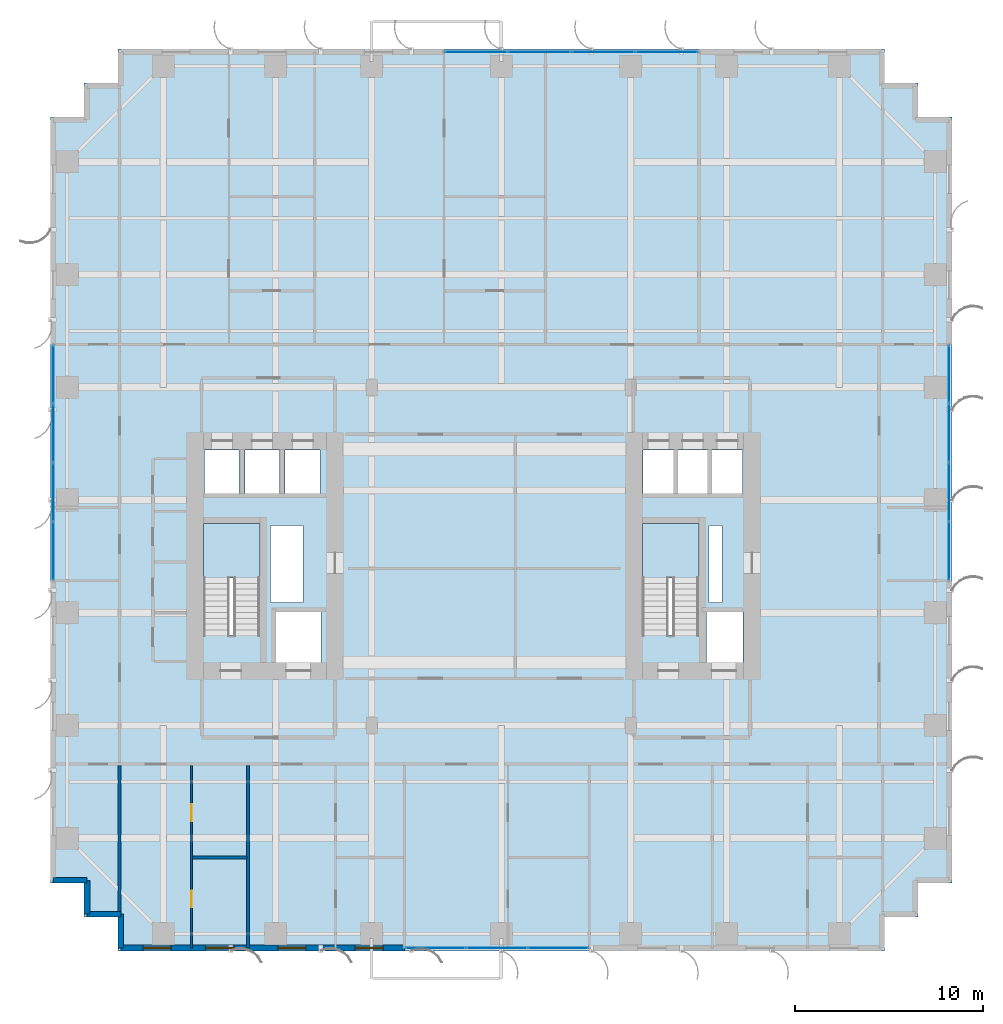
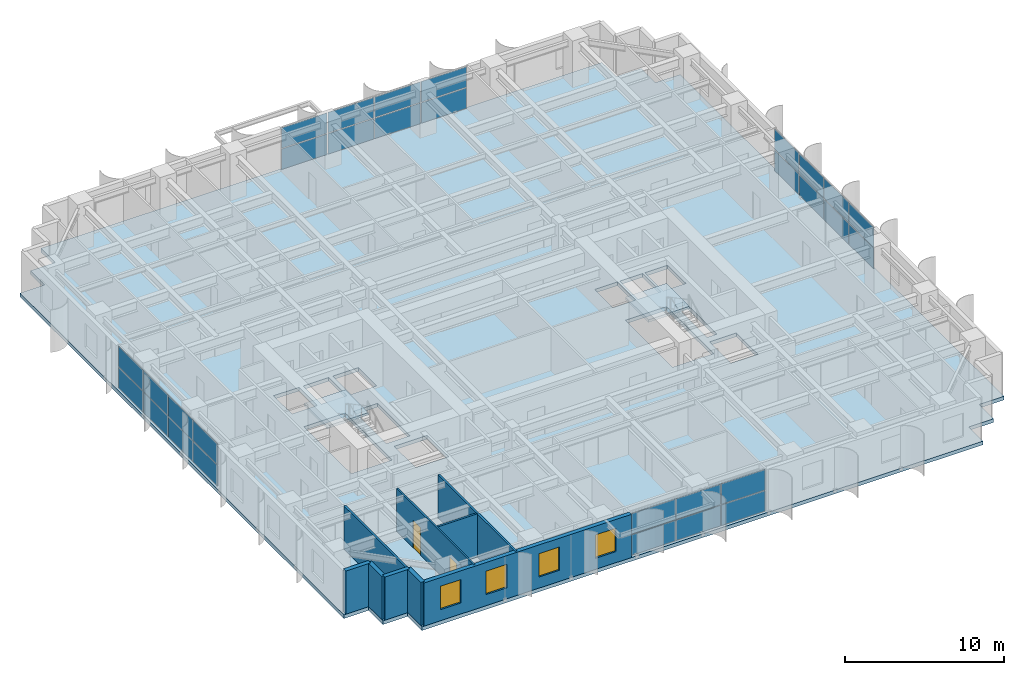
# One storey, part 14 of 22: 30 plates, 9 walls, 4 windows, 3 slabs, 2 doors, 6 openings, 6 elements without a shape of their own.
"""IFC4 building model written with IfcOpenShell, lengths in metres."""

import ifcopenshell
import ifcopenshell.guid

model = None  # the IFC model being written
_history = None  # IfcOwnerHistory: only IFC2X3 demands one
_inside = {}  # id of a spatial element -> (the spatial element, [elements in it])
_under = {}  # id of a project, library or spatial element -> (it, [spatial elements below it])
_declared = {}  # id of a project -> (the project, [libraries it declares])
_typed = {}  # id of a type object -> (the type object, [elements of that type])
_made_of = {}  # id of a material, layer set ... -> (it, [elements and type objects made of it])


def new_model(schema):
    """Start an empty IFC model of exactly this schema.

    Asked for "IFC4X3", IfcOpenShell would pick the latest addendum, in which some entities
    have other attributes; the version numbers below select the first issue.
    IFC2X3 requires an IfcOwnerHistory on every rooted entity: one is made here for all.
    """
    global model, _history
    if schema == "IFC4X3":
        model = ifcopenshell.file(schema_version=(4, 3, 0, 0))
    else:
        model = ifcopenshell.file(schema=schema)
    _inside.clear()
    _under.clear()
    _declared.clear()
    _typed.clear()
    _made_of.clear()
    _history = None
    if model.schema == "IFC2X3":
        org = make("IfcOrganization", Name="unknown")
        user = make(
            "IfcPersonAndOrganization",
            ThePerson=make("IfcPerson", FamilyName="unknown"),
            TheOrganization=org,
        )
        app = make(
            "IfcApplication",
            ApplicationDeveloper=org,
            Version="unknown",
            ApplicationFullName="unknown",
            ApplicationIdentifier="unknown",
        )
        _history = make(
            "IfcOwnerHistory",
            OwningUser=user,
            OwningApplication=app,
            ChangeAction="ADDED",
            CreationDate=0,
        )
    return model


def make(cls, **values):
    """One entity of the class cls with the attributes given. An attribute that is None is left unset."""
    return model.create_entity(
        cls, **{name: value for name, value in values.items() if value is not None}
    )


def rooted(cls, **values):
    """An entity with a GlobalId (a new one), such as an element, a storey or a relation."""
    return make(cls, GlobalId=ifcopenshell.guid.new(), OwnerHistory=_history, **values)


def si_unit(unit_type, name, prefix=None):
    """IfcSIUnit, for example si_unit("LENGTHUNIT", "METRE", prefix="MILLI")."""
    return make("IfcSIUnit", UnitType=unit_type, Prefix=prefix, Name=name)


def assignment(units):
    """IfcUnitAssignment: the units of a project."""
    return None if units is None else make("IfcUnitAssignment", Units=units)


def point(xyz):
    """IfcCartesianPoint."""
    return None if xyz is None else make("IfcCartesianPoint", Coordinates=xyz)


def direction(xyz):
    """IfcDirection."""
    return None if xyz is None else make("IfcDirection", DirectionRatios=xyz)


def frame(location, z_axis=None, x_axis=None):
    """IfcAxis2Placement3D, a coordinate frame: its origin and axes. An axis left out is left unset."""
    return make(
        "IfcAxis2Placement3D",
        Location=point(location),
        Axis=direction(z_axis),
        RefDirection=direction(x_axis),
    )


def frame_2d(location, x_axis=None):
    """IfcAxis2Placement2D, a coordinate frame in the plane: its origin and x axis."""
    return make(
        "IfcAxis2Placement2D", Location=point(location), RefDirection=direction(x_axis)
    )


def origin():
    """The frame at (0, 0, 0) with its axes left unset."""
    return frame((0.0, 0.0, 0.0))


def origin_2d():
    """The frame at (0, 0) in the plane with its x axis left unset."""
    return frame_2d((0.0, 0.0))


def place(relative_to, where):
    """IfcLocalPlacement: puts the frame where relative to a parent placement (None: the world)."""
    return make(
        "IfcLocalPlacement", PlacementRelTo=relative_to, RelativePlacement=where
    )


def context(
    kind, dimensions, precision=None, world=None, true_north=None, identifier=None
):
    """IfcGeometricRepresentationContext, for example the 3D "Model" context."""
    return make(
        "IfcGeometricRepresentationContext",
        ContextIdentifier=identifier,
        ContextType=kind,
        CoordinateSpaceDimension=dimensions,
        Precision=precision,
        WorldCoordinateSystem=world,
        TrueNorth=true_north,
    )


def subcontext(parent, identifier, kind, view, scale=None):
    """IfcGeometricRepresentationSubContext, for example "Body" below "Model"."""
    return make(
        "IfcGeometricRepresentationSubContext",
        ContextIdentifier=identifier,
        ContextType=kind,
        ParentContext=parent,
        TargetScale=scale,
        TargetView=view,
    )


def project(units=None, contexts=None):
    """IfcProject with its units and contexts."""
    return rooted(
        "IfcProject",
        Name="project",
        RepresentationContexts=contexts,
        UnitsInContext=assignment(units),
    )


def spatial(cls, under=None, at=None, **own):
    """A site, building, storey or space (cls), placed at a placement, below another one or the project."""
    s = rooted(cls, ObjectPlacement=at, **own)
    if under is not None:
        _under.setdefault(under.id(), (under, []))[1].append(s)
    return s


def polyline(points):
    """IfcPolyline through the points."""
    return make("IfcPolyline", Points=[point(p) for p in points])


def profile(cls, at=None, kind="AREA", **sizes):
    """A parametric profile (cls). Its sizes go by their IFC names, for example OverallWidth=200.0."""
    return make(cls, ProfileType=kind, Position=at, **sizes)


def rectangle(**sizes):
    """IfcRectangleProfileDef."""
    return profile("IfcRectangleProfileDef", **sizes)


def outline(outer, holes=None, kind="AREA"):
    """IfcArbitraryClosedProfileDef: a profile drawn as a closed curve; with holes, ...WithVoids."""
    if holes is None:
        return make("IfcArbitraryClosedProfileDef", ProfileType=kind, OuterCurve=outer)
    return make(
        "IfcArbitraryProfileDefWithVoids",
        ProfileType=kind,
        OuterCurve=outer,
        InnerCurves=holes,
    )


def extrude(swept, where, along, depth):
    """IfcExtrudedAreaSolid: the profile swept, set in the frame where, extruded along a direction by depth."""
    return make(
        "IfcExtrudedAreaSolid",
        SweptArea=swept,
        Position=where,
        ExtrudedDirection=direction(along),
        Depth=depth,
    )


def shape(context_of_items, identifier, shape_type, items):
    """IfcShapeRepresentation: the items that make up one representation, for example the "Body"."""
    return make(
        "IfcShapeRepresentation",
        ContextOfItems=context_of_items,
        RepresentationIdentifier=identifier,
        RepresentationType=shape_type,
        Items=items,
    )


def source(mapping_origin, context_of_items, identifier, shape_type, items):
    """IfcRepresentationMap: a shape defined once, which mapped items show again and again."""
    return make(
        "IfcRepresentationMap",
        MappingOrigin=mapping_origin,
        MappedRepresentation=shape(context_of_items, identifier, shape_type, items),
    )


def transform(
    local_origin,
    x_axis=None,
    y_axis=None,
    z_axis=None,
    scale=None,
    scale2=None,
    scale3=None,
    uniform=True,
):
    """IfcCartesianTransformationOperator3D, or its non-uniform kind. x_axis, y_axis, z_axis: its Axis1, 2, 3."""
    if uniform:
        return make(
            "IfcCartesianTransformationOperator3D",
            Axis1=direction(x_axis),
            Axis2=direction(y_axis),
            LocalOrigin=point(local_origin),
            Scale=scale,
            Axis3=direction(z_axis),
        )
    return make(
        "IfcCartesianTransformationOperator3DnonUniform",
        Axis1=direction(x_axis),
        Axis2=direction(y_axis),
        LocalOrigin=point(local_origin),
        Scale=scale,
        Axis3=direction(z_axis),
        Scale2=scale2,
        Scale3=scale3,
    )


def mapped(mapping_source, mapping_target):
    """IfcMappedItem: shows the shape of a source again, moved by a transform."""
    return make(
        "IfcMappedItem", MappingSource=mapping_source, MappingTarget=mapping_target
    )


def material(Name=None, Category=None):
    """IfcMaterial."""
    return make("IfcMaterial", Name=Name, Category=Category)


def layer(
    of_material, thickness, ventilated=None, Name=None, Category=None, Priority=None
):
    """IfcMaterialLayer: one layer of a wall or slab, of a material (None: an air gap)."""
    return make(
        "IfcMaterialLayer",
        Material=of_material,
        LayerThickness=thickness,
        IsVentilated=ventilated,
        Name=Name,
        Category=Category,
        Priority=Priority,
    )


def layer_set(layers, Name=None):
    """IfcMaterialLayerSet."""
    return make("IfcMaterialLayerSet", MaterialLayers=layers, LayerSetName=Name)


def made_of(thing, what):
    """Note that an element or type object is made of a material, layer set ...; save() writes the relation."""
    if what is not None:
        _made_of.setdefault(what.id(), (what, []))[1].append(thing)
    return thing


def type_object(cls, material=None, **own):
    """A type object (cls), such as IfcWallType, which elements share."""
    return made_of(rooted(cls, **own), material)


def element(
    cls,
    number,
    at=None,
    inside=None,
    cuts=None,
    type_object=None,
    material=None,
    context=None,
    identifier="Body",
    shape_type=None,
    held_by="IfcProductDefinitionShape",
    body=None,
    shapes=None,
    **own,
):
    """One element of the class cls, such as IfcWall. Its Tag is "e" and its number.

    at: its placement. inside: the storey or other place that contains it. cuts: it is an
    opening in that element (IfcRelVoidsElement). A single representation is given by context,
    identifier, shape_type and body (its items); several are given by shapes. held_by: the class
    of the entity that holds the representations. save() writes the other relations.
    """
    e = rooted(cls, Tag="e%d" % number, ObjectPlacement=at, **own)
    if body is not None:
        shapes = [shape(context, identifier, shape_type, body)]
    if shapes is not None:
        e.Representation = make(held_by, Representations=shapes)
    if inside is not None:
        _inside.setdefault(inside.id(), (inside, []))[1].append(e)
    if cuts is not None:
        rooted(
            "IfcRelVoidsElement", RelatingBuildingElement=cuts, RelatedOpeningElement=e
        )
    if type_object is not None:
        _typed.setdefault(type_object.id(), (type_object, []))[1].append(e)
    return made_of(e, material)


def fill(opening, filler):
    """IfcRelFillsElement: the door or window that sits in an opening."""
    return rooted(
        "IfcRelFillsElement",
        RelatingOpeningElement=opening,
        RelatedBuildingElement=filler,
    )


def aggregate(whole, parts):
    """IfcRelAggregates: a whole, such as a stair, and the parts it consists of."""
    return rooted("IfcRelAggregates", RelatingObject=whole, RelatedObjects=parts)


def save(model, path):
    """Write the relations noted so far, then the file.

    IfcRelAggregates (storeys below a building ...), IfcRelContainedInSpatialStructure (elements
    in a storey), IfcRelDefinesByType, IfcRelAssociatesMaterial and IfcRelDeclares: one each for
    every whole, place, type object, material and project.
    """
    for whole, parts in _under.values():
        aggregate(whole, parts)
    for where, things in _inside.values():
        rooted(
            "IfcRelContainedInSpatialStructure",
            RelatedElements=things,
            RelatingStructure=where,
        )
    for kind, things in _typed.values():
        rooted("IfcRelDefinesByType", RelatedObjects=things, RelatingType=kind)
    for what, things in _made_of.values():
        rooted("IfcRelAssociatesMaterial", RelatedObjects=things, RelatingMaterial=what)
    for by, libraries in _declared.values():
        rooted("IfcRelDeclares", RelatingContext=by, RelatedDefinitions=libraries)
    model.write(path)


model = new_model("IFC4")

# Units and contexts
model_context = context("Model", 3, precision=1e-05, world=origin(), true_north=direction((0.0, 1.0)))
body_context = subcontext(model_context, "Body", "Model", "MODEL_VIEW")
ifc_project = project(units=[si_unit("LENGTHUNIT", "METRE"), si_unit("AREAUNIT", "SQUARE_METRE"), si_unit("VOLUMEUNIT", "CUBIC_METRE"), si_unit("PLANEANGLEUNIT", "RADIAN"), si_unit("MASSUNIT", "GRAM", prefix="KILO")], contexts=[model_context])

# Site, building, storey
site_placement = place(None, origin())
site = spatial("IfcSite", under=ifc_project, at=site_placement, CompositionType="ELEMENT")
building_placement = place(site_placement, origin())
building = spatial("IfcBuilding", under=site, at=building_placement, Name="Khoralis Quay Care Tower", CompositionType="ELEMENT")
storey_placement = place(building_placement, frame((0.0, 0.0, 44.10009765625)))
storey = spatial("IfcBuildingStorey", under=building, at=storey_placement, Name="L11", CompositionType="ELEMENT", Elevation=44.10009765625)

# Stair, slab
ifc_material_1 = material(Name="Precast concrete C45/55", Category="concrete")
stair_type = type_object("IfcStairType", Name="ST-TWR-DOGLEG-1400", PredefinedType="HALF_TURN_STAIR", material=ifc_material_1)
stair_1_placement = place(storey_placement, origin())
stair_1 = element("IfcStair", 1, at=stair_1_placement, inside=storey, type_object=stair_type, Name="L11 West Core Exit Stair ST-T1", PredefinedType="HALF_TURN_STAIR")
ifc_layer_1 = layer(ifc_material_1, 0.199951171875)
ifc_layer_set_1 = layer_set([ifc_layer_1], Name="Precast concrete C45/55")
slab_type_1 = type_object("IfcSlabType", Name="SLB-LANDING-200", PredefinedType="LANDING", material=ifc_layer_set_1)
slab_1_placement = place(storey_placement, frame((0.0, 0.0, 1.599853515625)))
slab_1 = element("IfcSlab", 2, at=slab_1_placement, type_object=slab_type_1, Name="ST-T1 landing 1", PredefinedType="LANDING", context=body_context, shape_type="SweptSolid", body=[
    extrude(outline(polyline([(11.14990234375, 19.840087890625), (11.14990234375, 22.75), (8.14990234375, 22.75), (8.14990234375, 19.840087890625), (11.14990234375, 19.840087890625)])), origin(), (0.0, 0.0, 1.0), 0.199951171875),
])
aggregate(stair_1, [slab_1])

stair_2_placement = place(storey_placement, origin())
stair_2 = element("IfcStair", 3, at=stair_2_placement, inside=storey, type_object=stair_type, Name="L11 East Core Exit Stair ST-T2", PredefinedType="HALF_TURN_STAIR")
slab_2_placement = place(storey_placement, frame((0.0, 0.0, 1.599853515625)))
slab_2 = element("IfcSlab", 4, at=slab_2_placement, type_object=slab_type_1, Name="ST-T2 landing 1", PredefinedType="LANDING", context=body_context, shape_type="SweptSolid", body=[
    extrude(outline(polyline([(34.52001953125, 19.840087890625), (34.52001953125, 22.75), (31.52001953125, 22.75), (31.52001953125, 19.840087890625), (34.52001953125, 19.840087890625)])), origin(), (0.0, 0.0, 1.0), 0.199951171875),
])
aggregate(stair_2, [slab_2])

# Slab
ifc_material_2 = material(Name="Concrete C40/50", Category="concrete")
ifc_layer_2 = layer(ifc_material_2, 0.280029296875)
ifc_layer_set_2 = layer_set([ifc_layer_2], Name="Concrete C40/50")
slab_type_2 = type_object("IfcSlabType", Name="SLB-TWR-280", PredefinedType="FLOOR", material=ifc_layer_set_2)
slab_3_placement = place(storey_placement, frame((0.0, 0.0, -0.280029296875)))
element("IfcSlab", 5, at=slab_3_placement, inside=storey, type_object=slab_type_2, Name="Tower Floor Slab L11", PredefinedType="FLOOR", context=body_context, shape_type="SweptSolid", body=[
    extrude(outline(polyline([(3.60009765625, 0.0), (44.39990234375, 0.0), (44.39990234375, 1.800048828125), (46.199951171875, 1.800048828125), (46.199951171875, 3.60009765625), (48.0, 3.60009765625), (48.0, 44.39990234375), (46.199951171875, 44.39990234375), (46.199951171875, 46.199951171875), (44.39990234375, 46.199951171875), (44.39990234375, 48.0), (3.60009765625, 48.0), (3.60009765625, 46.199951171875), (1.800048828125, 46.199951171875), (1.800048828125, 44.39990234375), (0.0, 44.39990234375), (0.0, 3.60009765625), (1.800048828125, 3.60009765625), (1.800048828125, 1.800048828125), (3.60009765625, 1.800048828125), (3.60009765625, 0.0)]), holes=[polyline([(11.14990234375, 16.800048828125), (11.14990234375, 22.75), (8.14990234375, 22.75), (8.14990234375, 16.800048828125), (11.14990234375, 16.800048828125)]), polyline([(34.52001953125, 16.800048828125), (34.52001953125, 22.75), (31.52001953125, 22.75), (31.52001953125, 16.800048828125), (34.52001953125, 16.800048828125)]), polyline([(12.0, 15.35009765625), (14.39990234375, 15.35009765625), (14.39990234375, 18.050048828125), (12.0, 18.050048828125), (12.0, 15.35009765625)]), polyline([(34.919921875, 15.35009765625), (36.8798828125, 15.35009765625), (36.8798828125, 18.050048828125), (34.919921875, 18.050048828125), (34.919921875, 15.35009765625)]), polyline([(8.199951171875, 24.35009765625), (10.050048828125, 24.35009765625), (10.050048828125, 26.64990234375), (8.199951171875, 26.64990234375), (8.199951171875, 24.35009765625)]), polyline([(31.550048828125, 24.35009765625), (33.199951171875, 24.35009765625), (33.199951171875, 26.64990234375), (31.550048828125, 26.64990234375), (31.550048828125, 24.35009765625)]), polyline([(10.35009765625, 24.35009765625), (12.199951171875, 24.35009765625), (12.199951171875, 26.64990234375), (10.35009765625, 26.64990234375), (10.35009765625, 24.35009765625)]), polyline([(33.3798828125, 24.35009765625), (35.030029296875, 24.35009765625), (35.030029296875, 26.64990234375), (33.3798828125, 26.64990234375), (33.3798828125, 24.35009765625)]), polyline([(12.5, 24.35009765625), (14.35009765625, 24.35009765625), (14.35009765625, 26.64990234375), (12.5, 26.64990234375), (12.5, 24.35009765625)]), polyline([(35.199951171875, 24.35009765625), (36.85009765625, 24.35009765625), (36.85009765625, 26.64990234375), (35.199951171875, 26.64990234375), (35.199951171875, 24.35009765625)]), polyline([(11.719970703125, 18.550048828125), (13.449951171875, 18.550048828125), (13.449951171875, 22.64990234375), (11.719970703125, 22.64990234375), (11.719970703125, 18.550048828125)]), polyline([(35.050048828125, 18.550048828125), (35.75, 18.550048828125), (35.75, 22.64990234375), (35.050048828125, 22.64990234375), (35.050048828125, 18.550048828125)])]), origin(), (0.0, 0.0, 1.0), 0.280029296875),
])

# Curtain wall, plates
ifc_material_3 = material(Name="Pale anodised aluminium", Category="aluminium")
ifc_layer_3 = layer(ifc_material_3, 0.179931640625)
ifc_layer_set_3 = layer_set([ifc_layer_3], Name="Pale anodised aluminium")
curtain_wall_type = type_object("IfcCurtainWallType", Name="CW-SYS-Z1", PredefinedType="NOTDEFINED", material=ifc_layer_set_3)
curtain_wall_1_placement = place(storey_placement, origin())
curtain_wall_1 = element("IfcCurtainWall", 6, at=curtain_wall_1_placement, inside=storey, type_object=curtain_wall_type, Name="L11 Unitised Curtain Wall CW-L11-P1-E0", PredefinedType="NOTDEFINED")
ifc_material_4 = material(Name="Low-E solar-control double glazing", Category="glass")
ifc_layer_4 = layer(ifc_material_4, 0.031982421875)
ifc_layer_set_4 = layer_set([ifc_layer_4], Name="Low-E solar-control double glazing")
plate_type = type_object("IfcPlateType", Name="PNL-VIS-32", PredefinedType="CURTAIN_PANEL", material=ifc_layer_set_4)
shared_shape_1 = source(origin(), body_context, "Body", "SweptSolid", [
    extrude(rectangle(XDim=3.18994140625, YDim=0.028076171875, at=origin_2d()), origin(), (0.0, 0.0, 1.0), 1.570068359375),
])
plate_1_placement = place(storey_placement, frame((20.5048828125, 0.14990234375, 0.06005859375), z_axis=(0.0, 0.0, 1.0), x_axis=(1.0, 0.0, 0.0)))
plate_1 = element("IfcPlate", 7, at=plate_1_placement, type_object=plate_type, Name="CW1 panel 1.1", PredefinedType="CURTAIN_PANEL", context=body_context, shape_type="MappedRepresentation", body=[
    mapped(shared_shape_1, transform((0.0, 0.0, 0.0), scale=1.0)),
])
plate_2_placement = place(storey_placement, frame((20.5048828125, 0.14990234375, 1.68994140625), z_axis=(0.0, 0.0, 1.0), x_axis=(1.0, 0.0, 0.0)))
plate_2 = element("IfcPlate", 8, at=plate_2_placement, type_object=plate_type, Name="CW1 panel 1.2", PredefinedType="CURTAIN_PANEL", context=body_context, shape_type="MappedRepresentation", body=[
    mapped(shared_shape_1, transform((0.0, 0.0, 0.0), scale=1.0)),
])
plate_3_placement = place(storey_placement, frame((27.034912109375, 0.14990234375, 0.06005859375), z_axis=(0.0, 0.0, 1.0), x_axis=(1.0, 0.0, 0.0)))
plate_3 = element("IfcPlate", 9, at=plate_3_placement, type_object=plate_type, Name="CW1 panel 3.1", PredefinedType="CURTAIN_PANEL", context=body_context, shape_type="MappedRepresentation", body=[
    mapped(shared_shape_1, transform((0.0, 0.0, 0.0), scale=1.0)),
])
plate_4_placement = place(storey_placement, frame((27.034912109375, 0.14990234375, 1.68994140625), z_axis=(0.0, 0.0, 1.0), x_axis=(1.0, 0.0, 0.0)))
plate_4 = element("IfcPlate", 10, at=plate_4_placement, type_object=plate_type, Name="CW1 panel 3.2", PredefinedType="CURTAIN_PANEL", context=body_context, shape_type="MappedRepresentation", body=[
    mapped(shared_shape_1, transform((0.0, 0.0, 0.0), scale=1.0)),
])
shared_shape_2 = source(origin(), body_context, "Body", "SweptSolid", [
    extrude(rectangle(XDim=3.219970703125, YDim=0.028076171875, at=origin_2d()), origin(), (0.0, 0.0, 1.0), 1.570068359375),
])
plate_5_placement = place(storey_placement, frame((23.77001953125, 0.14990234375, 0.06005859375), z_axis=(0.0, 0.0, 1.0), x_axis=(1.0, 0.0, 0.0)))
plate_5 = element("IfcPlate", 11, at=plate_5_placement, type_object=plate_type, Name="CW1 panel 2.1", PredefinedType="CURTAIN_PANEL", context=body_context, shape_type="MappedRepresentation", body=[
    mapped(shared_shape_2, transform((0.0, 0.0, 0.0), scale=1.0)),
])
plate_6_placement = place(storey_placement, frame((23.77001953125, 0.14990234375, 1.68994140625), z_axis=(0.0, 0.0, 1.0), x_axis=(1.0, 0.0, 0.0)))
plate_6 = element("IfcPlate", 12, at=plate_6_placement, type_object=plate_type, Name="CW1 panel 2.2", PredefinedType="CURTAIN_PANEL", context=body_context, shape_type="MappedRepresentation", body=[
    mapped(shared_shape_2, transform((0.0, 0.0, 0.0), scale=1.0)),
])
aggregate(curtain_wall_1, [plate_1, plate_2, plate_5, plate_6, plate_3, plate_4])

curtain_wall_2_placement = place(storey_placement, origin())
curtain_wall_2 = element("IfcCurtainWall", 13, at=curtain_wall_2_placement, inside=storey, type_object=curtain_wall_type, Name="L11 Unitised Curtain Wall CW-L11-P1-E5", PredefinedType="NOTDEFINED")
shared_shape_3 = source(origin(), body_context, "Body", "SweptSolid", [
    extrude(rectangle(XDim=3.054931640625, YDim=0.028076171875, at=origin_2d()), origin(), (0.0, 0.0, 1.0), 1.570068359375),
])
plate_7_placement = place(storey_placement, frame((47.85009765625, 21.28759765625, 0.06005859375), z_axis=(0.0, 0.0, 1.0), x_axis=(0.0, 1.0, 0.0)))
plate_7 = element("IfcPlate", 14, at=plate_7_placement, type_object=plate_type, Name="CW1 panel 1.1", PredefinedType="CURTAIN_PANEL", context=body_context, shape_type="MappedRepresentation", body=[
    mapped(shared_shape_3, transform((0.0, 0.0, 0.0), scale=1.0)),
])
plate_8_placement = place(storey_placement, frame((47.85009765625, 21.28759765625, 1.68994140625), z_axis=(0.0, 0.0, 1.0), x_axis=(0.0, 1.0, 0.0)))
plate_8 = element("IfcPlate", 15, at=plate_8_placement, type_object=plate_type, Name="CW1 panel 1.2", PredefinedType="CURTAIN_PANEL", context=body_context, shape_type="MappedRepresentation", body=[
    mapped(shared_shape_3, transform((0.0, 0.0, 0.0), scale=1.0)),
])
plate_9_placement = place(storey_placement, frame((47.85009765625, 30.6923828125, 0.06005859375), z_axis=(0.0, 0.0, 1.0), x_axis=(0.0, 1.0, 0.0)))
plate_9 = element("IfcPlate", 16, at=plate_9_placement, type_object=plate_type, Name="CW1 panel 4.1", PredefinedType="CURTAIN_PANEL", context=body_context, shape_type="MappedRepresentation", body=[
    mapped(shared_shape_3, transform((0.0, 0.0, 0.0), scale=1.0)),
])
plate_10_placement = place(storey_placement, frame((47.85009765625, 30.6923828125, 1.68994140625), z_axis=(0.0, 0.0, 1.0), x_axis=(0.0, 1.0, 0.0)))
plate_10 = element("IfcPlate", 17, at=plate_10_placement, type_object=plate_type, Name="CW1 panel 4.2", PredefinedType="CURTAIN_PANEL", context=body_context, shape_type="MappedRepresentation", body=[
    mapped(shared_shape_3, transform((0.0, 0.0, 0.0), scale=1.0)),
])

curtain_wall_3_placement = place(storey_placement, origin())
curtain_wall_3 = element("IfcCurtainWall", 18, at=curtain_wall_3_placement, inside=storey, type_object=curtain_wall_type, Name="L11 Unitised Curtain Wall CW-L11-P1-E15", PredefinedType="NOTDEFINED")
plate_11_placement = place(storey_placement, frame((0.14990234375, 30.6923828125, 0.06005859375), z_axis=(0.0, 0.0, 1.0), x_axis=(0.0, -1.0, 0.0)))
plate_11 = element("IfcPlate", 19, at=plate_11_placement, type_object=plate_type, Name="CW1 panel 1.1", PredefinedType="CURTAIN_PANEL", context=body_context, shape_type="MappedRepresentation", body=[
    mapped(shared_shape_3, transform((0.0, 0.0, 0.0), scale=1.0)),
])
plate_12_placement = place(storey_placement, frame((0.14990234375, 30.6923828125, 1.68994140625), z_axis=(0.0, 0.0, 1.0), x_axis=(0.0, -1.0, 0.0)))
plate_12 = element("IfcPlate", 20, at=plate_12_placement, type_object=plate_type, Name="CW1 panel 1.2", PredefinedType="CURTAIN_PANEL", context=body_context, shape_type="MappedRepresentation", body=[
    mapped(shared_shape_3, transform((0.0, 0.0, 0.0), scale=1.0)),
])
plate_13_placement = place(storey_placement, frame((0.14990234375, 21.28759765625, 0.06005859375), z_axis=(0.0, 0.0, 1.0), x_axis=(0.0, -1.0, 0.0)))
plate_13 = element("IfcPlate", 21, at=plate_13_placement, type_object=plate_type, Name="CW1 panel 4.1", PredefinedType="CURTAIN_PANEL", context=body_context, shape_type="MappedRepresentation", body=[
    mapped(shared_shape_3, transform((0.0, 0.0, 0.0), scale=1.0)),
])
plate_14_placement = place(storey_placement, frame((0.14990234375, 21.28759765625, 1.68994140625), z_axis=(0.0, 0.0, 1.0), x_axis=(0.0, -1.0, 0.0)))
plate_14 = element("IfcPlate", 22, at=plate_14_placement, type_object=plate_type, Name="CW1 panel 4.2", PredefinedType="CURTAIN_PANEL", context=body_context, shape_type="MappedRepresentation", body=[
    mapped(shared_shape_3, transform((0.0, 0.0, 0.0), scale=1.0)),
])

# Plate
shared_shape_4 = source(origin(), body_context, "Body", "SweptSolid", [
    extrude(rectangle(XDim=3.0849609375, YDim=0.028076171875, at=origin_2d()), origin(), (0.0, 0.0, 1.0), 1.570068359375),
])
plate_15_placement = place(storey_placement, frame((47.85009765625, 24.41748046875, 0.06005859375), z_axis=(0.0, 0.0, 1.0), x_axis=(0.0, 1.0, 0.0)))
plate_15 = element("IfcPlate", 23, at=plate_15_placement, type_object=plate_type, Name="CW1 panel 2.1", PredefinedType="CURTAIN_PANEL", context=body_context, shape_type="MappedRepresentation", body=[
    mapped(shared_shape_4, transform((0.0, 0.0, 0.0), scale=1.0)),
])

plate_16_placement = place(storey_placement, frame((47.85009765625, 24.41748046875, 1.68994140625), z_axis=(0.0, 0.0, 1.0), x_axis=(0.0, 1.0, 0.0)))
plate_16 = element("IfcPlate", 24, at=plate_16_placement, type_object=plate_type, Name="CW1 panel 2.2", PredefinedType="CURTAIN_PANEL", context=body_context, shape_type="MappedRepresentation", body=[
    mapped(shared_shape_4, transform((0.0, 0.0, 0.0), scale=1.0)),
])

plate_17_placement = place(storey_placement, frame((47.85009765625, 27.5625, 0.06005859375), z_axis=(0.0, 0.0, 1.0), x_axis=(0.0, 1.0, 0.0)))
plate_17 = element("IfcPlate", 25, at=plate_17_placement, type_object=plate_type, Name="CW1 panel 3.1", PredefinedType="CURTAIN_PANEL", context=body_context, shape_type="MappedRepresentation", body=[
    mapped(shared_shape_4, transform((0.0, 0.0, 0.0), scale=1.0)),
])

plate_18_placement = place(storey_placement, frame((47.85009765625, 27.5625, 1.68994140625), z_axis=(0.0, 0.0, 1.0), x_axis=(0.0, 1.0, 0.0)))
plate_18 = element("IfcPlate", 26, at=plate_18_placement, type_object=plate_type, Name="CW1 panel 3.2", PredefinedType="CURTAIN_PANEL", context=body_context, shape_type="MappedRepresentation", body=[
    mapped(shared_shape_4, transform((0.0, 0.0, 0.0), scale=1.0)),
])

aggregate(curtain_wall_2, [plate_7, plate_8, plate_15, plate_16, plate_17, plate_18, plate_9, plate_10])

plate_19_placement = place(storey_placement, frame((0.14990234375, 27.5625, 0.06005859375), z_axis=(0.0, 0.0, 1.0), x_axis=(0.0, -1.0, 0.0)))
plate_19 = element("IfcPlate", 27, at=plate_19_placement, type_object=plate_type, Name="CW1 panel 2.1", PredefinedType="CURTAIN_PANEL", context=body_context, shape_type="MappedRepresentation", body=[
    mapped(shared_shape_4, transform((0.0, 0.0, 0.0), scale=1.0)),
])

plate_20_placement = place(storey_placement, frame((0.14990234375, 27.5625, 1.68994140625), z_axis=(0.0, 0.0, 1.0), x_axis=(0.0, -1.0, 0.0)))
plate_20 = element("IfcPlate", 28, at=plate_20_placement, type_object=plate_type, Name="CW1 panel 2.2", PredefinedType="CURTAIN_PANEL", context=body_context, shape_type="MappedRepresentation", body=[
    mapped(shared_shape_4, transform((0.0, 0.0, 0.0), scale=1.0)),
])

plate_21_placement = place(storey_placement, frame((0.14990234375, 24.41748046875, 0.06005859375), z_axis=(0.0, 0.0, 1.0), x_axis=(0.0, -1.0, 0.0)))
plate_21 = element("IfcPlate", 29, at=plate_21_placement, type_object=plate_type, Name="CW1 panel 3.1", PredefinedType="CURTAIN_PANEL", context=body_context, shape_type="MappedRepresentation", body=[
    mapped(shared_shape_4, transform((0.0, 0.0, 0.0), scale=1.0)),
])

plate_22_placement = place(storey_placement, frame((0.14990234375, 24.41748046875, 1.68994140625), z_axis=(0.0, 0.0, 1.0), x_axis=(0.0, -1.0, 0.0)))
plate_22 = element("IfcPlate", 30, at=plate_22_placement, type_object=plate_type, Name="CW1 panel 3.2", PredefinedType="CURTAIN_PANEL", context=body_context, shape_type="MappedRepresentation", body=[
    mapped(shared_shape_4, transform((0.0, 0.0, 0.0), scale=1.0)),
])

aggregate(curtain_wall_3, [plate_11, plate_12, plate_19, plate_20, plate_21, plate_22, plate_13, plate_14])

# Curtain wall, plates
curtain_wall_4_placement = place(storey_placement, origin())
curtain_wall_4 = element("IfcCurtainWall", 31, at=curtain_wall_4_placement, inside=storey, type_object=curtain_wall_type, Name="L11 Unitised Curtain Wall CW-L11-P1-E10", PredefinedType="NOTDEFINED")
shared_shape_5 = source(origin(), body_context, "Body", "SweptSolid", [
    extrude(rectangle(XDim=3.30322265625, YDim=0.028076171875, at=origin_2d()), origin(), (0.0, 0.0, 1.0), 1.570068359375),
])
plate_23_placement = place(storey_placement, frame((32.818359375, 47.85009765625, 0.06005859375), z_axis=(0.0, 0.0, 1.0), x_axis=(-1.0, 0.0, 0.0)))
plate_23 = element("IfcPlate", 32, at=plate_23_placement, type_object=plate_type, Name="CW1 panel 1.1", PredefinedType="CURTAIN_PANEL", context=body_context, shape_type="MappedRepresentation", body=[
    mapped(shared_shape_5, transform((0.0, 0.0, 0.0), scale=1.0)),
])
plate_24_placement = place(storey_placement, frame((32.818359375, 47.85009765625, 1.68994140625), z_axis=(0.0, 0.0, 1.0), x_axis=(-1.0, 0.0, 0.0)))
plate_24 = element("IfcPlate", 33, at=plate_24_placement, type_object=plate_type, Name="CW1 panel 1.2", PredefinedType="CURTAIN_PANEL", context=body_context, shape_type="MappedRepresentation", body=[
    mapped(shared_shape_5, transform((0.0, 0.0, 0.0), scale=1.0)),
])
plate_25_placement = place(storey_placement, frame((22.668701171875, 47.85009765625, 0.06005859375), z_axis=(0.0, 0.0, 1.0), x_axis=(-1.0, 0.0, 0.0)))
plate_25 = element("IfcPlate", 34, at=plate_25_placement, type_object=plate_type, Name="CW1 panel 4.1", PredefinedType="CURTAIN_PANEL", context=body_context, shape_type="MappedRepresentation", body=[
    mapped(shared_shape_5, transform((0.0, 0.0, 0.0), scale=1.0)),
])
plate_26_placement = place(storey_placement, frame((22.668701171875, 47.85009765625, 1.68994140625), z_axis=(0.0, 0.0, 1.0), x_axis=(-1.0, 0.0, 0.0)))
plate_26 = element("IfcPlate", 35, at=plate_26_placement, type_object=plate_type, Name="CW1 panel 4.2", PredefinedType="CURTAIN_PANEL", context=body_context, shape_type="MappedRepresentation", body=[
    mapped(shared_shape_5, transform((0.0, 0.0, 0.0), scale=1.0)),
])
shared_shape_6 = source(origin(), body_context, "Body", "SweptSolid", [
    extrude(rectangle(XDim=3.333251953125, YDim=0.028076171875, at=origin_2d()), origin(), (0.0, 0.0, 1.0), 1.570068359375),
])
plate_27_placement = place(storey_placement, frame((29.440185546875, 47.85009765625, 0.06005859375), z_axis=(0.0, 0.0, 1.0), x_axis=(-1.0, 0.0, 0.0)))
plate_27 = element("IfcPlate", 36, at=plate_27_placement, type_object=plate_type, Name="CW1 panel 2.1", PredefinedType="CURTAIN_PANEL", context=body_context, shape_type="MappedRepresentation", body=[
    mapped(shared_shape_6, transform((0.0, 0.0, 0.0), scale=1.0)),
])
plate_28_placement = place(storey_placement, frame((29.440185546875, 47.85009765625, 1.68994140625), z_axis=(0.0, 0.0, 1.0), x_axis=(-1.0, 0.0, 0.0)))
plate_28 = element("IfcPlate", 37, at=plate_28_placement, type_object=plate_type, Name="CW1 panel 2.2", PredefinedType="CURTAIN_PANEL", context=body_context, shape_type="MappedRepresentation", body=[
    mapped(shared_shape_6, transform((0.0, 0.0, 0.0), scale=1.0)),
])
plate_29_placement = place(storey_placement, frame((26.046875, 47.85009765625, 0.06005859375), z_axis=(0.0, 0.0, 1.0), x_axis=(-1.0, 0.0, 0.0)))
plate_29 = element("IfcPlate", 38, at=plate_29_placement, type_object=plate_type, Name="CW1 panel 3.1", PredefinedType="CURTAIN_PANEL", context=body_context, shape_type="MappedRepresentation", body=[
    mapped(shared_shape_6, transform((0.0, 0.0, 0.0), scale=1.0)),
])
plate_30_placement = place(storey_placement, frame((26.046875, 47.85009765625, 1.68994140625), z_axis=(0.0, 0.0, 1.0), x_axis=(-1.0, 0.0, 0.0)))
plate_30 = element("IfcPlate", 39, at=plate_30_placement, type_object=plate_type, Name="CW1 panel 3.2", PredefinedType="CURTAIN_PANEL", context=body_context, shape_type="MappedRepresentation", body=[
    mapped(shared_shape_6, transform((0.0, 0.0, 0.0), scale=1.0)),
])
aggregate(curtain_wall_4, [plate_23, plate_24, plate_27, plate_28, plate_29, plate_30, plate_25, plate_26])

# Wall, openings, windows
ifc_layer_5 = layer(ifc_material_1, 0.300048828125)
ifc_layer_set_5 = layer_set([ifc_layer_5], Name="Precast concrete C45/55")
wall_type_1 = type_object("IfcWallType", Name="WL-EXT-REF-300", PredefinedType="SOLIDWALL", material=ifc_layer_set_5)
wall_1_placement = place(storey_placement, frame((3.75, 0.14990234375, 0.0), z_axis=(0.0, 0.0, 1.0), x_axis=(1.0, 0.0, 0.0)))
wall_1 = element("IfcWall", 40, at=wall_1_placement, inside=storey, type_object=wall_type_1, Name="L11 External Facade Wall WL-EXT-L11-P1-E0A", PredefinedType="SOLIDWALL", context=body_context, shape_type="SweptSolid", body=[
    extrude(rectangle(XDim=15.10009765625, YDim=0.300048828125, at=frame_2d((7.550048828125, 0.0))), origin(), (0.0, 0.0, 1.0), 3.31982421875),
])
opening_1_placement = place(wall_1_placement, frame((1.179931640625, 0.0, 0.85009765625)))
opening_1 = element("IfcOpeningElement", 41, at=opening_1_placement, cuts=wall_1, Name="Opening W3", PredefinedType="OPENING", context=body_context, shape_type="SweptSolid", body=[
    extrude(rectangle(XDim=1.5, YDim=1.800048828125, at=frame_2d((0.75, 0.89990234375))), frame((0.0, 0.16015625, 0.0), z_axis=(0.0, -1.0, 0.0), x_axis=(1.0, 0.0, 0.0)), (0.0, 0.0, 1.0), 0.320068359375),
])
opening_2_placement = place(wall_1_placement, frame((4.514892578125, 0.0, 0.85009765625)))
opening_2 = element("IfcOpeningElement", 42, at=opening_2_placement, cuts=wall_1, Name="Opening W3", PredefinedType="OPENING", context=body_context, shape_type="SweptSolid", body=[
    extrude(rectangle(XDim=1.5, YDim=1.800048828125, at=frame_2d((0.75, 0.89990234375))), frame((0.0, 0.16015625, 0.0), z_axis=(0.0, -1.0, 0.0), x_axis=(1.0, 0.0, 0.0)), (0.0, 0.0, 1.0), 0.320068359375),
])
opening_3_placement = place(wall_1_placement, frame((8.3525390625, 0.0, 0.85009765625)))
opening_3 = element("IfcOpeningElement", 43, at=opening_3_placement, cuts=wall_1, Name="Opening W3", PredefinedType="OPENING", context=body_context, shape_type="SweptSolid", body=[
    extrude(rectangle(XDim=1.5, YDim=1.800048828125, at=frame_2d((0.75, 0.89990234375))), frame((0.0, 0.16015625, 0.0), z_axis=(0.0, -1.0, 0.0), x_axis=(1.0, 0.0, 0.0)), (0.0, 0.0, 1.0), 0.320068359375),
])
opening_4_placement = place(wall_1_placement, frame((12.467529296875, 0.0, 0.85009765625)))
opening_4 = element("IfcOpeningElement", 44, at=opening_4_placement, cuts=wall_1, Name="Opening W3", PredefinedType="OPENING", context=body_context, shape_type="SweptSolid", body=[
    extrude(rectangle(XDim=1.5, YDim=1.800048828125, at=frame_2d((0.75, 0.89990234375))), frame((0.0, 0.16015625, 0.0), z_axis=(0.0, -1.0, 0.0), x_axis=(1.0, 0.0, 0.0)), (0.0, 0.0, 1.0), 0.320068359375),
])
window_type = type_object("IfcWindowType", Name="WN-CLIN-1500X1800", PartitioningType="SINGLE_PANEL", PredefinedType="WINDOW", material=ifc_material_4)
shared_shape_7 = source(origin(), body_context, "Body", "SweptSolid", [
    extrude(rectangle(XDim=1.5, YDim=1.800048828125, at=frame_2d((0.75, 0.89990234375))), frame((0.0, 0.030029296875, 0.0), z_axis=(0.0, -1.0, 0.0), x_axis=(1.0, 0.0, 0.0)), (0.0, 0.0, 1.0), 0.06005859375),
])
window_1_placement = place(opening_1_placement, origin())
window_1 = element("IfcWindow", 45, at=window_1_placement, inside=storey, type_object=window_type, Name="WN-L11-P1-E0A Facade Window 01", OverallHeight=1.800048828125, OverallWidth=1.5, PartitioningType="SINGLE_PANEL", PredefinedType="WINDOW", context=body_context, shape_type="MappedRepresentation", body=[
    mapped(shared_shape_7, transform((0.0, 0.0, 0.0), scale=1.0)),
])
fill(opening_1, window_1)
window_2_placement = place(opening_2_placement, origin())
window_2 = element("IfcWindow", 46, at=window_2_placement, inside=storey, type_object=window_type, Name="WN-L11-P1-E0A Facade Window 02", OverallHeight=1.800048828125, OverallWidth=1.5, PartitioningType="SINGLE_PANEL", PredefinedType="WINDOW", context=body_context, shape_type="MappedRepresentation", body=[
    mapped(shared_shape_7, transform((0.0, 0.0, 0.0), scale=1.0)),
])
fill(opening_2, window_2)
window_3_placement = place(opening_3_placement, origin())
window_3 = element("IfcWindow", 47, at=window_3_placement, inside=storey, type_object=window_type, Name="WN-L11-P1-E0A Facade Window 03", OverallHeight=1.800048828125, OverallWidth=1.5, PartitioningType="SINGLE_PANEL", PredefinedType="WINDOW", context=body_context, shape_type="MappedRepresentation", body=[
    mapped(shared_shape_7, transform((0.0, 0.0, 0.0), scale=1.0)),
])
fill(opening_3, window_3)
window_4_placement = place(opening_4_placement, origin())
window_4 = element("IfcWindow", 48, at=window_4_placement, inside=storey, type_object=window_type, Name="WN-L11-P1-E0A Facade Window 04", OverallHeight=1.800048828125, OverallWidth=1.5, PartitioningType="SINGLE_PANEL", PredefinedType="WINDOW", context=body_context, shape_type="MappedRepresentation", body=[
    mapped(shared_shape_7, transform((0.0, 0.0, 0.0), scale=1.0)),
])
fill(opening_4, window_4)

# Walls
for number, where, z_axis, x_axis, name in (
    (49, (0.14990234375, 3.75, 0.0), (0.0, 0.0, 1.0), (1.0, 0.0, 0.0), "L11 External Facade Wall WL-EXT-L11-P1-C16"),
    (50, (1.949951171875, 3.75, 0.0), (0.0, 0.0, 1.0), (0.0, -1.0, 0.0), "L11 External Facade Wall WL-EXT-L11-P1-C17"),
    (51, (1.949951171875, 1.949951171875, 0.0), (0.0, 0.0, 1.0), (1.0, 0.0, 0.0), "L11 External Facade Wall WL-EXT-L11-P1-C18"),
    (52, (3.75, 1.949951171875, 0.0), (0.0, 0.0, 1.0), (0.0, -1.0, 0.0), "L11 External Facade Wall WL-EXT-L11-P1-C19"),
):
    element("IfcWall", number, at=place(storey_placement, frame(where, z_axis=z_axis, x_axis=x_axis)), inside=storey, type_object=wall_type_1, Name=name, PredefinedType="SOLIDWALL", context=body_context, shape_type="SweptSolid", body=[
        extrude(rectangle(XDim=1.800048828125, YDim=0.300048828125, at=frame_2d((0.89990234375, 0.0))), origin(), (0.0, 0.0, 1.0), 3.31982421875),
    ])

# Wall, openings, doors
ifc_material_5 = material(Name="Gypsum plasterboard on acoustic metal stud")
ifc_layer_6 = layer(ifc_material_5, 0.114990234375)
ifc_layer_set_6 = layer_set([ifc_layer_6], Name="Gypsum plasterboard on acoustic metal stud")
wall_type_2 = type_object("IfcWallType", Name="WL-PART-115", PredefinedType="PARTITIONING", material=ifc_layer_set_6)
wall_2_placement = place(storey_placement, frame((7.510009765625, 0.14501953125, 0.0), z_axis=(0.0, 0.0, 1.0), x_axis=(0.0, 1.0, 0.0)))
wall_2 = element("IfcWall", 53, at=wall_2_placement, inside=storey, type_object=wall_type_2, Name="L11 Studio 0 Internal Wall", PredefinedType="PARTITIONING", context=body_context, shape_type="SweptSolid", body=[
    extrude(rectangle(XDim=9.717529296875, YDim=0.114990234375, at=frame_2d((4.85888671875, 0.0))), origin(), (0.0, 0.0, 1.0), 3.31982421875),
])
opening_5_placement = place(wall_2_placement, frame((2.1650390625, 0.0, 0.0)))
opening_5 = element("IfcOpeningElement", 54, at=opening_5_placement, cuts=wall_2, Name="Opening WD1", PredefinedType="OPENING", context=body_context, shape_type="SweptSolid", body=[
    extrude(rectangle(XDim=0.89990234375, YDim=2.10009765625, at=frame_2d((0.449951171875, 1.050048828125))), frame((0.0, 0.0673828125, 0.0), z_axis=(0.0, -1.0, 0.0), x_axis=(1.0, 0.0, 0.0)), (0.0, 0.0, 1.0), 0.135009765625),
])
opening_6_placement = place(wall_2_placement, frame((6.7451171875, 0.0, 0.0)))
opening_6 = element("IfcOpeningElement", 55, at=opening_6_placement, cuts=wall_2, Name="Opening WD1", PredefinedType="OPENING", context=body_context, shape_type="SweptSolid", body=[
    extrude(rectangle(XDim=0.89990234375, YDim=2.10009765625, at=frame_2d((0.449951171875, 1.050048828125))), frame((0.0, 0.0673828125, 0.0), z_axis=(0.0, -1.0, 0.0), x_axis=(1.0, 0.0, 0.0)), (0.0, 0.0, 1.0), 0.135009765625),
])
ifc_material_6 = material(Name="Acoustic hardwood timber", Category="wood")
door_type = type_object("IfcDoorType", Name="DR-BATH-900X2100", OperationType="NOTDEFINED", PredefinedType="DOOR", material=ifc_material_6)
shared_shape_8 = source(origin(), body_context, "Body", "SweptSolid", [
    extrude(rectangle(XDim=0.89990234375, YDim=2.10009765625, at=frame_2d((0.449951171875, 1.050048828125))), frame((0.0, 0.02490234375, 0.0), z_axis=(0.0, -1.0, 0.0), x_axis=(1.0, 0.0, 0.0)), (0.0, 0.0, 1.0), 0.050048828125),
])
door_1_placement = place(opening_5_placement, frame((0.89990234375, 0.0, 0.0), z_axis=(0.0, 0.0, 1.0), x_axis=(-1.0, 0.0, 0.0)))
door_1 = element("IfcDoor", 56, at=door_1_placement, inside=storey, type_object=door_type, Name="L11 Studio SKT Door", OperationType="SINGLE_SWING_RIGHT", OverallHeight=2.10009765625, OverallWidth=0.89990234375, PredefinedType="DOOR", context=body_context, shape_type="MappedRepresentation", body=[
    mapped(shared_shape_8, transform((0.0, 0.0, 0.0), scale=1.0)),
])
fill(opening_5, door_1)
door_2_placement = place(opening_6_placement, frame((0.89990234375, 0.0, 0.0), z_axis=(0.0, 0.0, 1.0), x_axis=(-1.0, 0.0, 0.0)))
door_2 = element("IfcDoor", 57, at=door_2_placement, inside=storey, type_object=door_type, Name="L11 Studio SBH Door", OperationType="SINGLE_SWING_LEFT", OverallHeight=2.10009765625, OverallWidth=0.89990234375, PredefinedType="DOOR", context=body_context, shape_type="MappedRepresentation", body=[
    mapped(shared_shape_8, transform((0.0, 0.0, 0.0), scale=1.0)),
])
fill(opening_6, door_2)

# Walls
ifc_material_7 = material(Name="Moisture-resistant gypsum and ceramic tile")
ifc_layer_7 = layer(ifc_material_7, 0.280029296875)
ifc_layer_set_7 = layer_set([ifc_layer_7], Name="Moisture-resistant gypsum and ceramic tile")
wall_type_3 = type_object("IfcWallType", Name="WL-PLUMB-280", PredefinedType="PLUMBINGWALL", material=ifc_layer_set_7)
wall_3_placement = place(storey_placement, frame((7.5625, 4.969970703125, 0.0), z_axis=(0.0, 0.0, 1.0), x_axis=(1.0, 0.0, 0.0)))
element("IfcWall", 58, at=wall_3_placement, inside=storey, type_object=wall_type_3, Name="L11 Studio 0 Wet Split", PredefinedType="PLUMBINGWALL", context=body_context, shape_type="SweptSolid", body=[
    extrude(rectangle(XDim=2.892578125, YDim=0.139892578125, at=frame_2d((1.4462890625, 0.0))), origin(), (0.0, 0.0, 1.0), 3.31982421875),
])
ifc_layer_8 = layer(ifc_material_5, 0.139892578125)
ifc_layer_set_8 = layer_set([ifc_layer_8], Name="Gypsum plasterboard on acoustic metal stud")
wall_type_4 = type_object("IfcWallType", Name="WL-UNIT-140", PredefinedType="PARTITIONING", material=ifc_layer_set_8)
wall_4_placement = place(storey_placement, frame((3.679931640625, 1.945068359375, 0.0), z_axis=(0.0, 0.0, 1.0), x_axis=(0.0, 1.0, 0.0)))
element("IfcWall", 59, at=wall_4_placement, inside=storey, type_object=wall_type_4, Name="L11 SB Demising Wall 0", PredefinedType="PARTITIONING", context=body_context, shape_type="SweptSolid", body=[
    extrude(rectangle(XDim=7.91748046875, YDim=0.139892578125, at=frame_2d((3.958740234375, 0.0))), origin(), (0.0, 0.0, 1.0), 3.31982421875),
])
wall_5_placement = place(storey_placement, frame((10.52001953125, 0.14501953125, 0.0), z_axis=(0.0, 0.0, 1.0), x_axis=(0.0, 1.0, 0.0)))
element("IfcWall", 60, at=wall_5_placement, inside=storey, type_object=wall_type_4, Name="L11 SB Demising Wall 1", PredefinedType="PARTITIONING", context=body_context, shape_type="SweptSolid", body=[
    extrude(rectangle(XDim=9.717529296875, YDim=0.139892578125, at=frame_2d((4.85888671875, 0.0))), origin(), (0.0, 0.0, 1.0), 3.31982421875),
])

save(model, "model.ifc")
